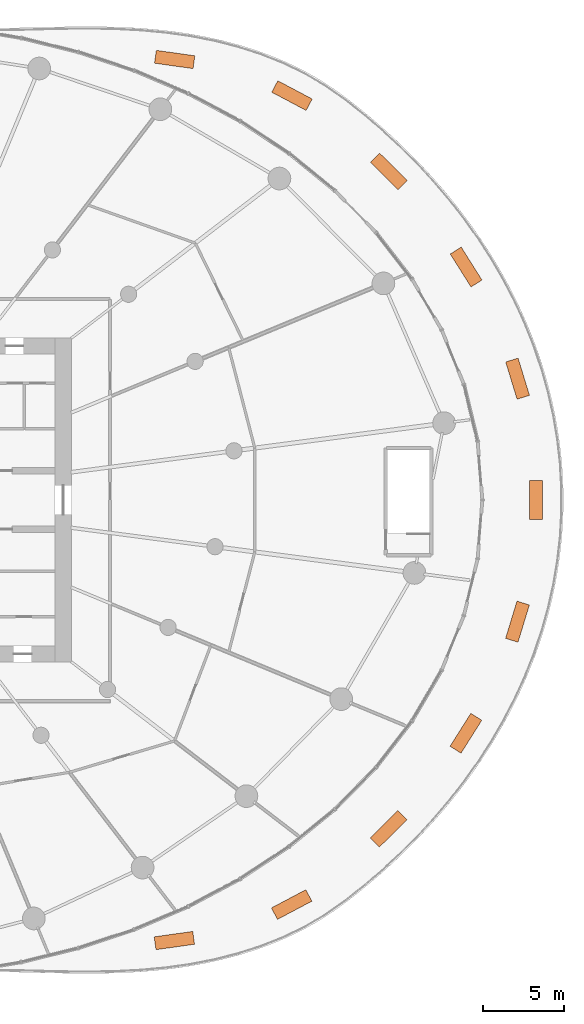
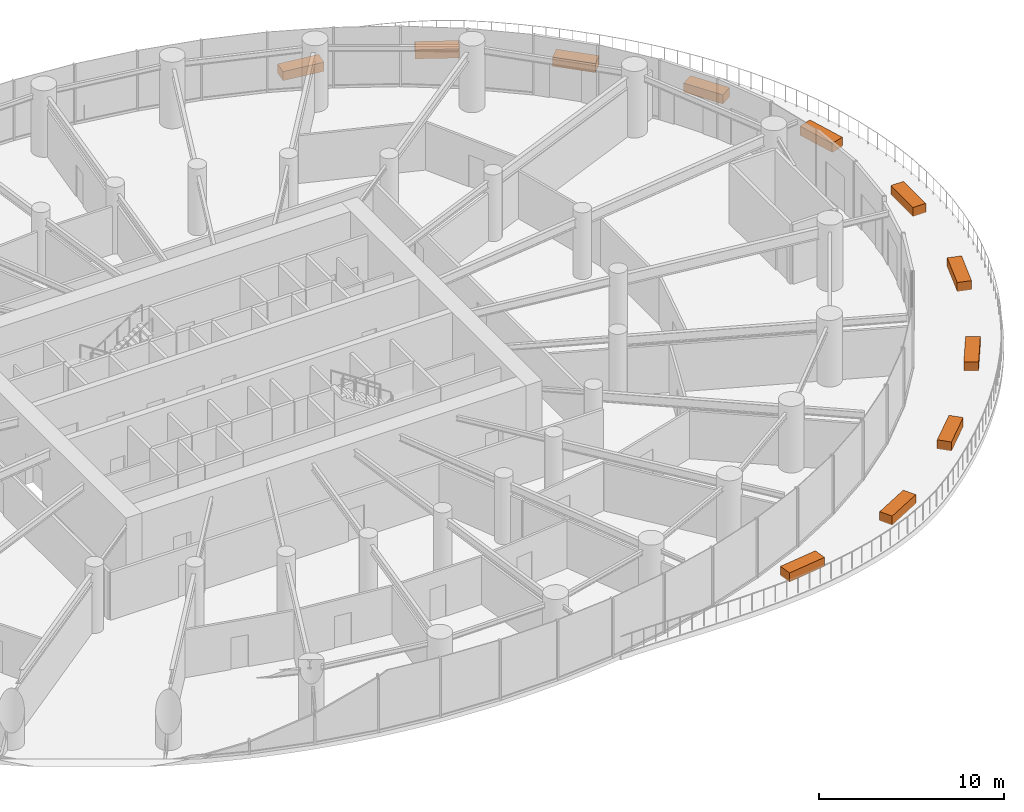
# One storey, part 21 of 21: 11 proxies.
"""IFC4 building model written with IfcOpenShell, lengths in metres."""

from ifc_helpers import new_model, si_unit, direction, frame, origin, origin_2d, place, context, subcontext, project, spatial, rectangle, extrude, source, transform, mapped, element, save


model = new_model("IFC4")

# Units and contexts
model_context = context("Model", 3, precision=1e-05, world=origin(), true_north=direction((0.0, 1.0)))
body_context = subcontext(model_context, "Body", "Model", "MODEL_VIEW")
ifc_project = project(units=[si_unit("LENGTHUNIT", "METRE"), si_unit("AREAUNIT", "SQUARE_METRE"), si_unit("VOLUMEUNIT", "CUBIC_METRE"), si_unit("PLANEANGLEUNIT", "RADIAN"), si_unit("MASSUNIT", "GRAM", prefix="KILO")], contexts=[model_context])

# Site, building, storey
site_placement = place(None, origin())
site = spatial("IfcSite", under=ifc_project, at=site_placement, CompositionType="ELEMENT")
building_placement = place(site_placement, origin())
building = spatial("IfcBuilding", under=site, at=building_placement, Name="Spindrift Exchange Tower", CompositionType="ELEMENT")
storey_placement = place(building_placement, frame((0.0, 0.0, 18.199951171875)))
storey = spatial("IfcBuildingStorey", under=building, at=storey_placement, Name="L04", CompositionType="ELEMENT", Elevation=18.199951171875)

# Proxies
shared_shape = source(origin(), body_context, "Body", "SweptSolid", [
    extrude(rectangle(XDim=2.39990234375, YDim=0.800048828125, at=origin_2d()), origin(), (0.0, 0.0, 1.0), 0.60009765625),
])
for number, where, z_axis, x_axis, name in (
    (1, (71.377197265625, 75.1669921875, 0.0), (0.0, 0.0, 1.0), (0.990230382559, -0.139440989157, 0.0), "L04 PLANTER 01"),
    (2, (78.60888671875, 72.939697265625, 0.0), (0.0, 0.0, 1.0), (0.883608775685, -0.468225940687, 0.0), "L04 PLANTER 02"),
    (3, (84.579833984375, 68.26953125, 0.0), (0.0, 0.0, 1.0), (0.710674241764, -0.703521230733, 0.0), "L04 PLANTER 03"),
    (4, (89.34912109375, 62.367431640625, 0.0), (0.0, 0.0, 1.0), (0.533114033625, -0.846043395549, 0.0), "L04 PLANTER 04"),
    (5, (92.52392578125, 55.482177734375, 0.0), (0.0, 0.0, 1.0), (0.291999480721, -0.956418477058, 0.0), "L04 PLANTER 05"),
    (6, (93.649658203125, 47.989013671875, 0.0), (0.0, 0.0, 1.0), (-0.000256563397, -0.999999967088, 0.0), "L04 PLANTER 06"),
    (7, (92.517578125, 40.496826171875, 0.0), (0.0, 0.0, 1.0), (-0.292925785741, -0.956135180844, 0.0), "L04 PLANTER 07"),
    (8, (89.33740234375, 33.614013671875, 0.0), (0.0, 0.0, 1.0), (-0.533819674428, -0.845598341527, 0.0), "L04 PLANTER 08"),
    (9, (84.564208984375, 27.715087890625, 0.0), (0.0, 0.0, 1.0), (-0.711157856912, -0.703032362379, 0.0), "L04 PLANTER 09"),
    (10, (78.589599609375, 23.0498046875, 0.0), (0.0, 0.0, 1.0), (-0.883924833763, -0.467629007075, 0.0), "L04 PLANTER 10"),
    (11, (71.355712890625, 20.82958984375, 0.0), (0.0, 0.0, 1.0), (-0.990344191535, -0.138630380126, 0.0), "L04 PLANTER 11"),
):
    element("IfcBuildingElementProxy", number, at=place(storey_placement, frame(where, z_axis=z_axis, x_axis=x_axis)), inside=storey, Name=name, ObjectType="PLANTER", PredefinedType="USERDEFINED", context=body_context, shape_type="MappedRepresentation", body=[
        mapped(shared_shape, transform((0.0, 0.0, 0.0), scale=1.0)),
    ])

save(model, "model.ifc")
